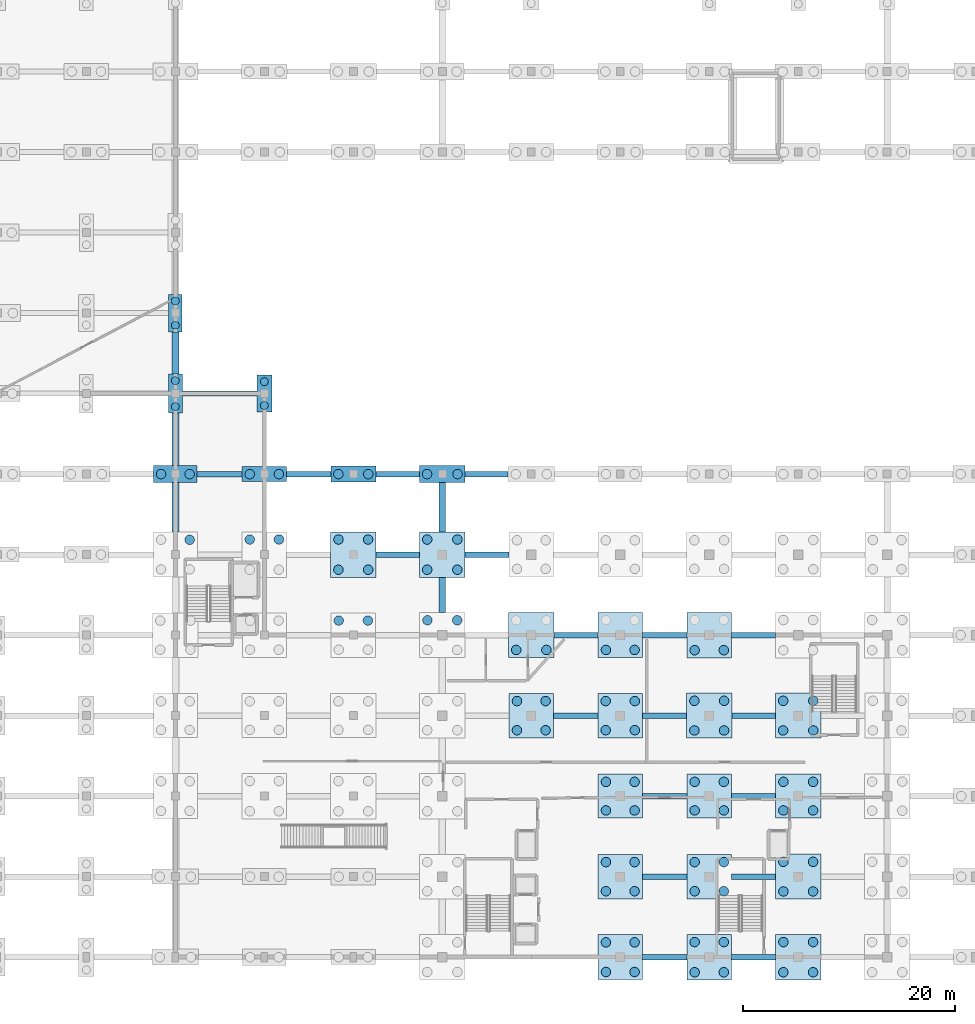
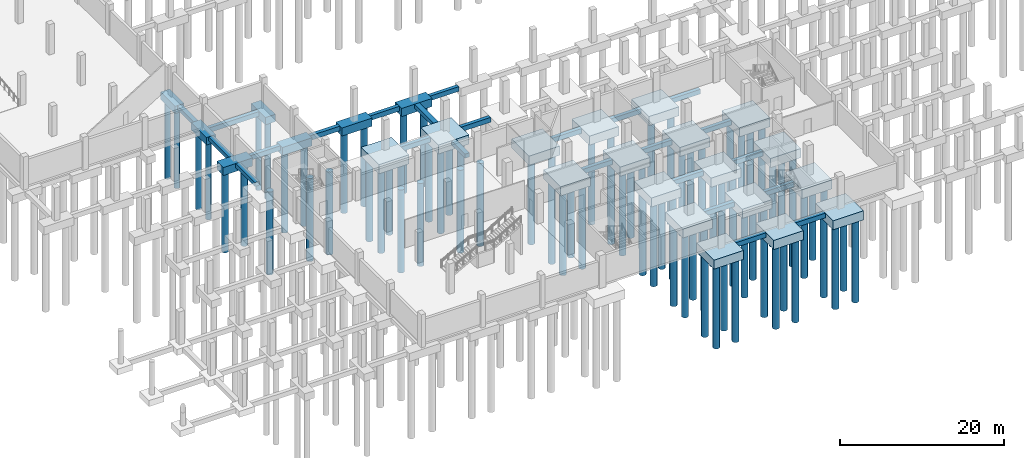
# One storey, part 3 of 22: 87 piles, 49 footings.
"""IFC4 building model written with IfcOpenShell, lengths in metres."""

from ifc_helpers import new_model, si_unit, direction, frame, origin, origin_2d, place, context, subcontext, project, spatial, rectangle, circle, extrude, material, material_profile, profile_set, type_object, element, save


model = new_model("IFC4")

# Units and contexts
model_context = context("Model", 3, precision=1e-05, world=origin(), true_north=direction((0.0, 1.0)))
body_context = subcontext(model_context, "Body", "Model", "MODEL_VIEW")
ifc_project = project(units=[si_unit("LENGTHUNIT", "METRE"), si_unit("AREAUNIT", "SQUARE_METRE"), si_unit("VOLUMEUNIT", "CUBIC_METRE"), si_unit("PLANEANGLEUNIT", "RADIAN"), si_unit("MASSUNIT", "GRAM", prefix="KILO")], contexts=[model_context])

# Site, building, storey
site_placement = place(None, origin())
site = spatial("IfcSite", under=ifc_project, at=site_placement, CompositionType="ELEMENT")
building_placement = place(site_placement, origin())
building = spatial("IfcBuilding", under=site, at=building_placement, Name="Zuvorla Pavilion Media Centre", CompositionType="ELEMENT")
storey_placement = place(building_placement, frame((0.0, 0.0, -4.5)))
storey = spatial("IfcBuildingStorey", under=building, at=storey_placement, Name="B01", CompositionType="ELEMENT", Elevation=-4.5)

# Footings
ifc_material = material(Name="Concrete C40/50", Category="concrete")
footing_type_1 = type_object("IfcFootingType", Name="FT-GB56", PredefinedType="FOOTING_BEAM", material=ifc_material)
footing_1_placement = place(storey_placement, frame((87.78759765625, 6.0, -1.10009765625), z_axis=(0.0, 0.0, 1.0), x_axis=(1.0, 0.0, 0.0)))
element("IfcFooting", 1, at=footing_1_placement, inside=storey, type_object=footing_type_1, Name="Ground beam GB56 8", PredefinedType="FOOTING_BEAM", context=body_context, shape_type="SweptSolid", body=[
    extrude(rectangle(XDim=4.215087890625, YDim=0.5, at=origin_2d()), origin(), (0.0, 0.0, 1.0), 0.699951171875),
])
footing_2_placement = place(storey_placement, frame((96.1875, 6.0, -1.10009765625), z_axis=(0.0, 0.0, 1.0), x_axis=(1.0, 0.0, 0.0)))
element("IfcFooting", 2, at=footing_2_placement, inside=storey, type_object=footing_type_1, Name="Ground beam GB56 9", PredefinedType="FOOTING_BEAM", context=body_context, shape_type="SweptSolid", body=[
    extrude(rectangle(XDim=4.1650390625, YDim=0.5, at=origin_2d()), origin(), (0.0, 0.0, 1.0), 0.699951171875),
])
footing_3_placement = place(storey_placement, frame((87.78759765625, 13.60009765625, -1.10009765625), z_axis=(0.0, 0.0, 1.0), x_axis=(1.0, 0.0, 0.0)))
element("IfcFooting", 3, at=footing_3_placement, inside=storey, type_object=footing_type_1, Name="Ground beam GB56 26", PredefinedType="FOOTING_BEAM", context=body_context, shape_type="SweptSolid", body=[
    extrude(rectangle(XDim=4.215087890625, YDim=0.5, at=origin_2d()), origin(), (0.0, 0.0, 1.0), 0.699951171875),
])
footing_4_placement = place(storey_placement, frame((96.1875, 13.60009765625, -1.10009765625), z_axis=(0.0, 0.0, 1.0), x_axis=(1.0, 0.0, 0.0)))
element("IfcFooting", 4, at=footing_4_placement, inside=storey, type_object=footing_type_1, Name="Ground beam GB56 27", PredefinedType="FOOTING_BEAM", context=body_context, shape_type="SweptSolid", body=[
    extrude(rectangle(XDim=4.1650390625, YDim=0.5, at=origin_2d()), origin(), (0.0, 0.0, 1.0), 0.699951171875),
])
footing_5_placement = place(storey_placement, frame((87.78759765625, 21.199951171875, -1.10009765625), z_axis=(0.0, 0.0, 1.0), x_axis=(1.0, 0.0, 0.0)))
element("IfcFooting", 5, at=footing_5_placement, inside=storey, type_object=footing_type_1, Name="Ground beam GB56 44", PredefinedType="FOOTING_BEAM", context=body_context, shape_type="SweptSolid", body=[
    extrude(rectangle(XDim=4.215087890625, YDim=0.5, at=origin_2d()), origin(), (0.0, 0.0, 1.0), 0.699951171875),
])
footing_6_placement = place(storey_placement, frame((96.1875, 21.199951171875, -1.10009765625), z_axis=(0.0, 0.0, 1.0), x_axis=(1.0, 0.0, 0.0)))
element("IfcFooting", 6, at=footing_6_placement, inside=storey, type_object=footing_type_1, Name="Ground beam GB56 45", PredefinedType="FOOTING_BEAM", context=body_context, shape_type="SweptSolid", body=[
    extrude(rectangle(XDim=4.1650390625, YDim=0.5, at=origin_2d()), origin(), (0.0, 0.0, 1.0), 0.699951171875),
])
footing_7_placement = place(storey_placement, frame((79.387451171875, 28.800048828125, -1.10009765625), z_axis=(0.0, 0.0, 1.0), x_axis=(1.0, 0.0, 0.0)))
element("IfcFooting", 7, at=footing_7_placement, inside=storey, type_object=footing_type_1, Name="Ground beam GB56 58", PredefinedType="FOOTING_BEAM", context=body_context, shape_type="SweptSolid", body=[
    extrude(rectangle(XDim=4.215087890625, YDim=0.5, at=origin_2d()), origin(), (0.0, 0.0, 1.0), 0.699951171875),
])
footing_8_placement = place(storey_placement, frame((87.78759765625, 28.800048828125, -1.10009765625), z_axis=(0.0, 0.0, 1.0), x_axis=(1.0, 0.0, 0.0)))
element("IfcFooting", 8, at=footing_8_placement, inside=storey, type_object=footing_type_1, Name="Ground beam GB56 59", PredefinedType="FOOTING_BEAM", context=body_context, shape_type="SweptSolid", body=[
    extrude(rectangle(XDim=4.1650390625, YDim=0.5, at=origin_2d()), origin(), (0.0, 0.0, 1.0), 0.699951171875),
])
footing_9_placement = place(storey_placement, frame((96.1875, 28.800048828125, -1.10009765625), z_axis=(0.0, 0.0, 1.0), x_axis=(1.0, 0.0, 0.0)))
element("IfcFooting", 9, at=footing_9_placement, inside=storey, type_object=footing_type_1, Name="Ground beam GB56 60", PredefinedType="FOOTING_BEAM", context=body_context, shape_type="SweptSolid", body=[
    extrude(rectangle(XDim=4.114990234375, YDim=0.5, at=origin_2d()), origin(), (0.0, 0.0, 1.0), 0.699951171875),
])
footing_10_placement = place(storey_placement, frame((79.4375, 36.39990234375, -1.10009765625), z_axis=(0.0, 0.0, 1.0), x_axis=(1.0, 0.0, 0.0)))
element("IfcFooting", 10, at=footing_10_placement, inside=storey, type_object=footing_type_1, Name="Ground beam GB56 71", PredefinedType="FOOTING_BEAM", context=body_context, shape_type="SweptSolid", body=[
    extrude(rectangle(XDim=4.1650390625, YDim=0.5, at=origin_2d()), origin(), (0.0, 0.0, 1.0), 0.699951171875),
])
footing_11_placement = place(storey_placement, frame((87.78759765625, 36.39990234375, -1.10009765625), z_axis=(0.0, 0.0, 1.0), x_axis=(1.0, 0.0, 0.0)))
element("IfcFooting", 11, at=footing_11_placement, inside=storey, type_object=footing_type_1, Name="Ground beam GB56 72", PredefinedType="FOOTING_BEAM", context=body_context, shape_type="SweptSolid", body=[
    extrude(rectangle(XDim=4.215087890625, YDim=0.5, at=origin_2d()), origin(), (0.0, 0.0, 1.0), 0.699951171875),
])
footing_12_placement = place(storey_placement, frame((96.1875, 36.39990234375, -1.10009765625), z_axis=(0.0, 0.0, 1.0), x_axis=(1.0, 0.0, 0.0)))
element("IfcFooting", 12, at=footing_12_placement, inside=storey, type_object=footing_type_1, Name="Ground beam GB56 73", PredefinedType="FOOTING_BEAM", context=body_context, shape_type="SweptSolid", body=[
    extrude(rectangle(XDim=4.1650390625, YDim=0.5, at=origin_2d()), origin(), (0.0, 0.0, 1.0), 0.699951171875),
])
footing_13_placement = place(storey_placement, frame((62.58740234375, 44.0, -1.10009765625), z_axis=(0.0, 0.0, 1.0), x_axis=(1.0, 0.0, 0.0)))
element("IfcFooting", 13, at=footing_13_placement, inside=storey, type_object=footing_type_1, Name="Ground beam GB56 85", PredefinedType="FOOTING_BEAM", context=body_context, shape_type="SweptSolid", body=[
    extrude(rectangle(XDim=4.114990234375, YDim=0.5, at=origin_2d()), origin(), (0.0, 0.0, 1.0), 0.699951171875),
])
footing_14_placement = place(storey_placement, frame((71.03759765625, 44.0, -1.10009765625), z_axis=(0.0, 0.0, 1.0), x_axis=(1.0, 0.0, 0.0)))
element("IfcFooting", 14, at=footing_14_placement, inside=storey, type_object=footing_type_1, Name="Ground beam GB56 86", PredefinedType="FOOTING_BEAM", context=body_context, shape_type="SweptSolid", body=[
    extrude(rectangle(XDim=4.1650390625, YDim=0.5, at=origin_2d()), origin(), (0.0, 0.0, 1.0), 0.699951171875),
])
footing_15_placement = place(storey_placement, frame((45.784912109375, 51.60009765625, -1.10009765625), z_axis=(0.0, 0.0, 1.0), x_axis=(1.0, 0.0, 0.0)))
element("IfcFooting", 15, at=footing_15_placement, inside=storey, type_object=footing_type_1, Name="Ground beam GB56 100", PredefinedType="FOOTING_BEAM", context=body_context, shape_type="SweptSolid", body=[
    extrude(rectangle(XDim=4.25, YDim=0.5, at=origin_2d()), origin(), (0.0, 0.0, 1.0), 0.699951171875),
])
footing_16_placement = place(storey_placement, frame((54.18505859375, 51.60009765625, -1.10009765625), z_axis=(0.0, 0.0, 1.0), x_axis=(1.0, 0.0, 0.0)))
element("IfcFooting", 16, at=footing_16_placement, inside=storey, type_object=footing_type_1, Name="Ground beam GB56 101", PredefinedType="FOOTING_BEAM", context=body_context, shape_type="SweptSolid", body=[
    extrude(rectangle(XDim=4.18994140625, YDim=0.5, at=origin_2d()), origin(), (0.0, 0.0, 1.0), 0.699951171875),
])
footing_17_placement = place(storey_placement, frame((62.5849609375, 51.60009765625, -1.10009765625), z_axis=(0.0, 0.0, 1.0), x_axis=(1.0, 0.0, 0.0)))
element("IfcFooting", 17, at=footing_17_placement, inside=storey, type_object=footing_type_1, Name="Ground beam GB56 102", PredefinedType="FOOTING_BEAM", context=body_context, shape_type="SweptSolid", body=[
    extrude(rectangle(XDim=4.1298828125, YDim=0.5, at=origin_2d()), origin(), (0.0, 0.0, 1.0), 0.699951171875),
])
footing_18_placement = place(storey_placement, frame((70.985107421875, 51.60009765625, -1.10009765625), z_axis=(0.0, 0.0, 1.0), x_axis=(1.0, 0.0, 0.0)))
element("IfcFooting", 18, at=footing_18_placement, inside=storey, type_object=footing_type_1, Name="Ground beam GB56 103", PredefinedType="FOOTING_BEAM", context=body_context, shape_type="SweptSolid", body=[
    extrude(rectangle(XDim=4.070068359375, YDim=0.5, at=origin_2d()), origin(), (0.0, 0.0, 1.0), 0.699951171875),
])
footing_19_placement = place(storey_placement, frame((45.780029296875, 59.199951171875, -1.10009765625), z_axis=(0.0, 0.0, 1.0), x_axis=(1.0, 0.0, 0.0)))
element("IfcFooting", 19, at=footing_19_placement, inside=storey, type_object=footing_type_1, Name="Ground beam GB56 118", PredefinedType="FOOTING_BEAM", context=body_context, shape_type="SweptSolid", body=[
    extrude(rectangle(XDim=7.030029296875, YDim=0.5, at=origin_2d()), origin(), (0.0, 0.0, 1.0), 0.699951171875),
])
footing_type_2 = type_object("IfcFootingType", Name="FT-PC06", PredefinedType="PILE_CAP", material=ifc_material)
footing_20_placement = place(storey_placement, frame((41.60009765625, 51.60009765625, -1.60009765625), z_axis=(0.0, 0.0, 1.0), x_axis=(1.0, 0.0, 0.0)))
element("IfcFooting", 20, at=footing_20_placement, inside=storey, type_object=footing_type_2, Name="Pile cap PC06", PredefinedType="PILE_CAP", context=body_context, shape_type="SweptSolid", body=[
    extrude(rectangle(XDim=4.1201171875, YDim=1.580078125, at=origin_2d()), origin(), (0.0, 0.0, 1.0), 1.199951171875),
])
footing_type_3 = type_object("IfcFootingType", Name="FT-PC07", PredefinedType="PILE_CAP", material=ifc_material)
footing_21_placement = place(storey_placement, frame((50.0, 51.60009765625, -1.60009765625), z_axis=(0.0, 0.0, 1.0), x_axis=(1.0, 0.0, 0.0)))
element("IfcFooting", 21, at=footing_21_placement, inside=storey, type_object=footing_type_3, Name="Pile cap PC07", PredefinedType="PILE_CAP", context=body_context, shape_type="SweptSolid", body=[
    extrude(rectangle(XDim=4.179931640625, YDim=1.419921875, at=origin_2d()), origin(), (0.0, 0.0, 1.0), 1.199951171875),
])
footing_type_4 = type_object("IfcFootingType", Name="FT-PC08", PredefinedType="PILE_CAP", material=ifc_material)
for number, where, z_axis, x_axis, name in (
    (22, (100.39990234375, 28.800048828125, -1.75), (0.0, 0.0, 1.0), (1.0, 0.0, 0.0), "Pile cap PC08"),
    (23, (75.199951171875, 36.39990234375, -1.75), (0.0, 0.0, 1.0), (1.0, 0.0, 0.0), "Pile cap PC08"),
):
    element("IfcFooting", number, at=place(storey_placement, frame(where, z_axis=z_axis, x_axis=x_axis)), inside=storey, type_object=footing_type_4, Name=name, PredefinedType="PILE_CAP", context=body_context, shape_type="SweptSolid", body=[
        extrude(rectangle(XDim=4.31005859375, YDim=4.260009765625, at=origin_2d()), origin(), (0.0, 0.0, 1.0), 1.35009765625),
    ])
footing_type_5 = type_object("IfcFootingType", Name="FT-PC09", PredefinedType="PILE_CAP", material=ifc_material)
for number, where, z_axis, x_axis, name in (
    (24, (83.60009765625, 6.0, -1.75), (0.0, 0.0, 1.0), (1.0, 0.0, 0.0), "Pile cap PC09"),
    (25, (83.60009765625, 36.39990234375, -1.75), (0.0, 0.0, 1.0), (1.0, 0.0, 0.0), "Pile cap PC09"),
):
    element("IfcFooting", number, at=place(storey_placement, frame(where, z_axis=z_axis, x_axis=x_axis)), inside=storey, type_object=footing_type_5, Name=name, PredefinedType="PILE_CAP", context=body_context, shape_type="SweptSolid", body=[
        extrude(rectangle(XDim=4.159912109375, YDim=4.260009765625, at=origin_2d()), origin(), (0.0, 0.0, 1.0), 1.35009765625),
    ])
footing_type_6 = type_object("IfcFootingType", Name="FT-PC10", PredefinedType="PILE_CAP", material=ifc_material)
for number, where, z_axis, x_axis, name in (
    (26, (92.0, 6.0, -1.75), (0.0, 0.0, 1.0), (1.0, 0.0, 0.0), "Pile cap PC10"),
    (27, (92.0, 36.39990234375, -1.75), (0.0, 0.0, 1.0), (1.0, 0.0, 0.0), "Pile cap PC10"),
):
    element("IfcFooting", number, at=place(storey_placement, frame(where, z_axis=z_axis, x_axis=x_axis)), inside=storey, type_object=footing_type_6, Name=name, PredefinedType="PILE_CAP", context=body_context, shape_type="SweptSolid", body=[
        extrude(rectangle(XDim=4.2099609375, YDim=4.31005859375, at=origin_2d()), origin(), (0.0, 0.0, 1.0), 1.35009765625),
    ])
footing_type_7 = type_object("IfcFootingType", Name="FT-PC11", PredefinedType="PILE_CAP", material=ifc_material)
for number, where, z_axis, x_axis, name in (
    (28, (100.39990234375, 6.0, -1.75), (0.0, 0.0, 1.0), (1.0, 0.0, 0.0), "Pile cap PC11"),
    (29, (58.39990234375, 44.0, -1.75), (0.0, 0.0, 1.0), (1.0, 0.0, 0.0), "Pile cap PC11"),
):
    element("IfcFooting", number, at=place(storey_placement, frame(where, z_axis=z_axis, x_axis=x_axis)), inside=storey, type_object=footing_type_7, Name=name, PredefinedType="PILE_CAP", context=body_context, shape_type="SweptSolid", body=[
        extrude(rectangle(XDim=4.260009765625, YDim=4.31005859375, at=origin_2d()), origin(), (0.0, 0.0, 1.0), 1.35009765625),
    ])
footing_type_8 = type_object("IfcFootingType", Name="FT-PC12", PredefinedType="PILE_CAP", material=ifc_material)
footing_22_placement = place(storey_placement, frame((66.800048828125, 44.0, -1.75), z_axis=(0.0, 0.0, 1.0), x_axis=(1.0, 0.0, 0.0)))
element("IfcFooting", 30, at=footing_22_placement, inside=storey, type_object=footing_type_8, Name="Pile cap PC12", PredefinedType="PILE_CAP", context=body_context, shape_type="SweptSolid", body=[
    extrude(rectangle(XDim=4.31005859375, YDim=4.31005859375, at=origin_2d()), origin(), (0.0, 0.0, 1.0), 1.35009765625),
])
footing_type_9 = type_object("IfcFootingType", Name="FT-PC27", PredefinedType="PILE_CAP", material=ifc_material)
for number, where, z_axis, x_axis, name in (
    (31, (83.60009765625, 13.60009765625, -1.75), (0.0, 0.0, 1.0), (1.0, 0.0, 0.0), "Pile cap PC27"),
    (32, (75.199951171875, 28.800048828125, -1.75), (0.0, 0.0, 1.0), (1.0, 0.0, 0.0), "Pile cap PC27"),
):
    element("IfcFooting", number, at=place(storey_placement, frame(where, z_axis=z_axis, x_axis=x_axis)), inside=storey, type_object=footing_type_9, Name=name, PredefinedType="PILE_CAP", context=body_context, shape_type="SweptSolid", body=[
        extrude(rectangle(XDim=4.159912109375, YDim=4.2099609375, at=origin_2d()), origin(), (0.0, 0.0, 1.0), 1.35009765625),
    ])
footing_type_10 = type_object("IfcFootingType", Name="FT-PC28", PredefinedType="PILE_CAP", material=ifc_material)
for number, where, z_axis, x_axis, name in (
    (33, (92.0, 13.60009765625, -1.75), (0.0, 0.0, 1.0), (1.0, 0.0, 0.0), "Pile cap PC28"),
    (34, (83.60009765625, 28.800048828125, -1.75), (0.0, 0.0, 1.0), (1.0, 0.0, 0.0), "Pile cap PC28"),
):
    element("IfcFooting", number, at=place(storey_placement, frame(where, z_axis=z_axis, x_axis=x_axis)), inside=storey, type_object=footing_type_10, Name=name, PredefinedType="PILE_CAP", context=body_context, shape_type="SweptSolid", body=[
        extrude(rectangle(XDim=4.2099609375, YDim=4.2099609375, at=origin_2d()), origin(), (0.0, 0.0, 1.0), 1.35009765625),
    ])
footing_type_11 = type_object("IfcFootingType", Name="FT-PC29", PredefinedType="PILE_CAP", material=ifc_material)
for number, where, z_axis, x_axis, name in (
    (35, (100.39990234375, 13.60009765625, -1.75), (0.0, 0.0, 1.0), (1.0, 0.0, 0.0), "Pile cap PC29"),
    (36, (92.0, 28.800048828125, -1.75), (0.0, 0.0, 1.0), (1.0, 0.0, 0.0), "Pile cap PC29"),
):
    element("IfcFooting", number, at=place(storey_placement, frame(where, z_axis=z_axis, x_axis=x_axis)), inside=storey, type_object=footing_type_11, Name=name, PredefinedType="PILE_CAP", context=body_context, shape_type="SweptSolid", body=[
        extrude(rectangle(XDim=4.260009765625, YDim=4.260009765625, at=origin_2d()), origin(), (0.0, 0.0, 1.0), 1.35009765625),
    ])
footing_type_12 = type_object("IfcFootingType", Name="FT-PC31", PredefinedType="PILE_CAP", material=ifc_material)
footing_23_placement = place(storey_placement, frame((58.39990234375, 51.60009765625, -1.60009765625), z_axis=(0.0, 0.0, 1.0), x_axis=(1.0, 0.0, 0.0)))
element("IfcFooting", 37, at=footing_23_placement, inside=storey, type_object=footing_type_12, Name="Pile cap PC31", PredefinedType="PILE_CAP", context=body_context, shape_type="SweptSolid", body=[
    extrude(rectangle(XDim=4.239990234375, YDim=1.5, at=origin_2d()), origin(), (0.0, 0.0, 1.0), 1.199951171875),
])
footing_type_13 = type_object("IfcFootingType", Name="FT-PC34", PredefinedType="PILE_CAP", material=ifc_material)
footing_24_placement = place(storey_placement, frame((83.60009765625, 21.199951171875, -1.75), z_axis=(0.0, 0.0, 1.0), x_axis=(1.0, 0.0, 0.0)))
element("IfcFooting", 38, at=footing_24_placement, inside=storey, type_object=footing_type_13, Name="Pile cap PC34", PredefinedType="PILE_CAP", context=body_context, shape_type="SweptSolid", body=[
    extrude(rectangle(XDim=4.159912109375, YDim=4.159912109375, at=origin_2d()), origin(), (0.0, 0.0, 1.0), 1.35009765625),
])
footing_type_14 = type_object("IfcFootingType", Name="FT-PC35", PredefinedType="PILE_CAP", material=ifc_material)
footing_25_placement = place(storey_placement, frame((92.0, 21.199951171875, -1.75), z_axis=(0.0, 0.0, 1.0), x_axis=(1.0, 0.0, 0.0)))
element("IfcFooting", 39, at=footing_25_placement, inside=storey, type_object=footing_type_14, Name="Pile cap PC35", PredefinedType="PILE_CAP", context=body_context, shape_type="SweptSolid", body=[
    extrude(rectangle(XDim=4.2099609375, YDim=4.159912109375, at=origin_2d()), origin(), (0.0, 0.0, 1.0), 1.35009765625),
])
footing_type_15 = type_object("IfcFootingType", Name="FT-PC36", PredefinedType="PILE_CAP", material=ifc_material)
footing_26_placement = place(storey_placement, frame((100.39990234375, 21.199951171875, -1.75), z_axis=(0.0, 0.0, 1.0), x_axis=(1.0, 0.0, 0.0)))
element("IfcFooting", 40, at=footing_26_placement, inside=storey, type_object=footing_type_15, Name="Pile cap PC36", PredefinedType="PILE_CAP", context=body_context, shape_type="SweptSolid", body=[
    extrude(rectangle(XDim=4.260009765625, YDim=4.159912109375, at=origin_2d()), origin(), (0.0, 0.0, 1.0), 1.35009765625),
])
footing_type_16 = type_object("IfcFootingType", Name="FT-PC37", PredefinedType="PILE_CAP", material=ifc_material)
footing_27_placement = place(storey_placement, frame((66.800048828125, 51.60009765625, -1.60009765625), z_axis=(0.0, 0.0, 1.0), x_axis=(1.0, 0.0, 0.0)))
element("IfcFooting", 41, at=footing_27_placement, inside=storey, type_object=footing_type_16, Name="Pile cap PC37", PredefinedType="PILE_CAP", context=body_context, shape_type="SweptSolid", body=[
    extrude(rectangle(XDim=4.300048828125, YDim=1.580078125, at=origin_2d()), origin(), (0.0, 0.0, 1.0), 1.199951171875),
])
footing_type_17 = type_object("IfcFootingType", Name="FT-PC43", PredefinedType="PILE_CAP", material=ifc_material)
footing_28_placement = place(storey_placement, frame((41.60009765625, 59.199951171875, -1.5), z_axis=(0.0, 0.0, 1.0), x_axis=(1.0, 0.0, 0.0)))
element("IfcFooting", 42, at=footing_28_placement, inside=storey, type_object=footing_type_17, Name="Pile cap PC43", PredefinedType="PILE_CAP", context=body_context, shape_type="SweptSolid", body=[
    extrude(rectangle(XDim=1.330078125, YDim=3.699951171875, at=origin_2d()), origin(), (0.0, 0.0, 1.0), 1.10009765625),
])
footing_type_18 = type_object("IfcFootingType", Name="FT-PC44", PredefinedType="PILE_CAP", material=ifc_material)
footing_29_placement = place(storey_placement, frame((50.0, 59.199951171875, -1.5), z_axis=(0.0, 0.0, 1.0), x_axis=(1.0, 0.0, 0.0)))
element("IfcFooting", 43, at=footing_29_placement, inside=storey, type_object=footing_type_18, Name="Pile cap PC44", PredefinedType="PILE_CAP", context=body_context, shape_type="SweptSolid", body=[
    extrude(rectangle(XDim=1.409912109375, YDim=3.5, at=origin_2d()), origin(), (0.0, 0.0, 1.0), 1.10009765625),
])
footing_type_19 = type_object("IfcFootingType", Name="FT-PC46", PredefinedType="PILE_CAP", material=ifc_material)
footing_30_placement = place(storey_placement, frame((41.60009765625, 66.800048828125, -1.5), z_axis=(0.0, 0.0, 1.0), x_axis=(1.0, 0.0, 0.0)))
element("IfcFooting", 44, at=footing_30_placement, inside=storey, type_object=footing_type_19, Name="Pile cap PC46", PredefinedType="PILE_CAP", context=body_context, shape_type="SweptSolid", body=[
    extrude(rectangle(XDim=1.25, YDim=3.550048828125, at=origin_2d()), origin(), (0.0, 0.0, 1.0), 1.10009765625),
])
footing_type_20 = type_object("IfcFootingType", Name="FT-SF57", PredefinedType="STRIP_FOOTING", material=ifc_material)
footing_31_placement = place(storey_placement, frame((41.60009765625, 48.469970703125, -1.0), z_axis=(0.0, 0.0, 1.0), x_axis=(0.0, 1.0, 0.0)))
element("IfcFooting", 45, at=footing_31_placement, inside=storey, type_object=footing_type_20, Name="Strip footing SF57 17", PredefinedType="STRIP_FOOTING", context=body_context, shape_type="SweptSolid", body=[
    extrude(rectangle(XDim=4.679931640625, YDim=0.64990234375, at=origin_2d()), origin(), (0.0, 0.0, 1.0), 0.60009765625),
])
footing_32_placement = place(storey_placement, frame((41.60009765625, 54.8701171875, -1.0), z_axis=(0.0, 0.0, 1.0), x_axis=(0.0, 1.0, 0.0)))
element("IfcFooting", 46, at=footing_32_placement, inside=storey, type_object=footing_type_20, Name="Strip footing SF57 18", PredefinedType="STRIP_FOOTING", context=body_context, shape_type="SweptSolid", body=[
    extrude(rectangle(XDim=4.9599609375, YDim=0.64990234375, at=origin_2d()), origin(), (0.0, 0.0, 1.0), 0.60009765625),
])
footing_33_placement = place(storey_placement, frame((41.60009765625, 63.03759765625, -1.0), z_axis=(0.0, 0.0, 1.0), x_axis=(0.0, 1.0, 0.0)))
element("IfcFooting", 47, at=footing_33_placement, inside=storey, type_object=footing_type_20, Name="Strip footing SF57 19", PredefinedType="STRIP_FOOTING", context=body_context, shape_type="SweptSolid", body=[
    extrude(rectangle(XDim=3.97509765625, YDim=0.64990234375, at=origin_2d()), origin(), (0.0, 0.0, 1.0), 0.60009765625),
])
footing_34_placement = place(storey_placement, frame((66.800048828125, 40.1875, -1.0), z_axis=(0.0, 0.0, 1.0), x_axis=(0.0, 1.0, 0.0)))
element("IfcFooting", 48, at=footing_34_placement, inside=storey, type_object=footing_type_20, Name="Strip footing SF57 31", PredefinedType="STRIP_FOOTING", context=body_context, shape_type="SweptSolid", body=[
    extrude(rectangle(XDim=3.31494140625, YDim=0.64990234375, at=origin_2d()), origin(), (0.0, 0.0, 1.0), 0.60009765625),
])
footing_35_placement = place(storey_placement, frame((66.800048828125, 48.482421875, -1.0), z_axis=(0.0, 0.0, 1.0), x_axis=(0.0, 1.0, 0.0)))
element("IfcFooting", 49, at=footing_35_placement, inside=storey, type_object=footing_type_20, Name="Strip footing SF57 32", PredefinedType="STRIP_FOOTING", context=body_context, shape_type="SweptSolid", body=[
    extrude(rectangle(XDim=4.655029296875, YDim=0.64990234375, at=origin_2d()), origin(), (0.0, 0.0, 1.0), 0.60009765625),
])

# Piles
ifc_material_profile_1 = material_profile(ifc_material, circle(Radius=0.375, at=origin_2d()), Name="BORED PILE 750")
ifc_profile_set_1 = profile_set([ifc_material_profile_1], Name="Concrete C40/50")
pile_type_1 = type_object("IfcPileType", Name="PIL-D750", PredefinedType="BORED", material=ifc_profile_set_1)
for number, where, z_axis, x_axis, name in (
    (50, (41.60009765625, 57.97509765625, -1.39990234375), (0.0, 0.0, -1.0), (1.0, 0.0, 0.0), "Bored pile P75 325"),
    (51, (41.60009765625, 60.425048828125, -1.39990234375), (0.0, 0.0, -1.0), (1.0, 0.0, 0.0), "Bored pile P75 326"),
    (52, (50.0, 58.074951171875, -1.39990234375), (0.0, 0.0, -1.0), (1.0, 0.0, 0.0), "Bored pile P75 327"),
    (53, (50.0, 60.324951171875, -1.39990234375), (0.0, 0.0, -1.0), (1.0, 0.0, 0.0), "Bored pile P75 328"),
    (54, (41.60009765625, 65.64990234375, -1.39990234375), (0.0, 0.0, -1.0), (1.0, 0.0, 0.0), "Bored pile P75 339"),
    (55, (41.60009765625, 67.949951171875, -1.39990234375), (0.0, 0.0, -1.0), (1.0, 0.0, 0.0), "Bored pile P75 340"),
):
    element("IfcPile", number, at=place(storey_placement, frame(where, z_axis=z_axis, x_axis=x_axis)), inside=storey, type_object=pile_type_1, Name=name, PredefinedType="BORED", context=body_context, shape_type="SweptSolid", body=[
        extrude(circle(Radius=0.375, at=origin_2d()), origin(), (0.0, 0.0, 1.0), 11.60009765625),
    ])
ifc_material_profile_2 = material_profile(ifc_material, circle(Radius=0.449951171875, at=origin_2d()), Name="BORED PILE 900")
ifc_profile_set_2 = profile_set([ifc_material_profile_2], Name="Concrete C40/50")
pile_type_2 = type_object("IfcPileType", Name="PIL-D900", PredefinedType="BORED", material=ifc_profile_set_2)
for number, where, z_axis, x_axis, name in (
    (56, (82.25, 4.60009765625, -1.64990234375), (0.0, 0.0, -1.0), (1.0, 0.0, 0.0), "Bored pile P90 15"),
    (57, (84.949951171875, 4.60009765625, -1.64990234375), (0.0, 0.0, -1.0), (1.0, 0.0, 0.0), "Bored pile P90 16"),
    (58, (82.25, 7.39990234375, -1.64990234375), (0.0, 0.0, -1.0), (1.0, 0.0, 0.0), "Bored pile P90 17"),
    (59, (84.949951171875, 7.39990234375, -1.64990234375), (0.0, 0.0, -1.0), (1.0, 0.0, 0.0), "Bored pile P90 18"),
    (60, (90.625, 4.574951171875, -1.64990234375), (0.0, 0.0, -1.0), (1.0, 0.0, 0.0), "Bored pile P90 19"),
    (61, (93.375, 4.574951171875, -1.64990234375), (0.0, 0.0, -1.0), (1.0, 0.0, 0.0), "Bored pile P90 20"),
    (62, (90.625, 7.425048828125, -1.64990234375), (0.0, 0.0, -1.0), (1.0, 0.0, 0.0), "Bored pile P90 21"),
    (63, (93.375, 7.425048828125, -1.64990234375), (0.0, 0.0, -1.0), (1.0, 0.0, 0.0), "Bored pile P90 22"),
    (64, (99.0, 4.574951171875, -1.64990234375), (0.0, 0.0, -1.0), (1.0, 0.0, 0.0), "Bored pile P90 23"),
    (65, (101.800048828125, 4.574951171875, -1.64990234375), (0.0, 0.0, -1.0), (1.0, 0.0, 0.0), "Bored pile P90 24"),
    (66, (99.0, 7.425048828125, -1.64990234375), (0.0, 0.0, -1.0), (1.0, 0.0, 0.0), "Bored pile P90 25"),
    (67, (101.800048828125, 7.425048828125, -1.64990234375), (0.0, 0.0, -1.0), (1.0, 0.0, 0.0), "Bored pile P90 26"),
    (68, (82.25, 12.22509765625, -1.64990234375), (0.0, 0.0, -1.0), (1.0, 0.0, 0.0), "Bored pile P90 57"),
    (69, (84.949951171875, 12.22509765625, -1.64990234375), (0.0, 0.0, -1.0), (1.0, 0.0, 0.0), "Bored pile P90 58"),
    (70, (82.25, 14.97509765625, -1.64990234375), (0.0, 0.0, -1.0), (1.0, 0.0, 0.0), "Bored pile P90 59"),
    (71, (84.949951171875, 14.97509765625, -1.64990234375), (0.0, 0.0, -1.0), (1.0, 0.0, 0.0), "Bored pile P90 60"),
    (72, (90.625, 12.22509765625, -1.64990234375), (0.0, 0.0, -1.0), (1.0, 0.0, 0.0), "Bored pile P90 61"),
    (73, (93.375, 12.22509765625, -1.64990234375), (0.0, 0.0, -1.0), (1.0, 0.0, 0.0), "Bored pile P90 62"),
    (74, (90.625, 14.97509765625, -1.64990234375), (0.0, 0.0, -1.0), (1.0, 0.0, 0.0), "Bored pile P90 63"),
    (75, (93.375, 14.97509765625, -1.64990234375), (0.0, 0.0, -1.0), (1.0, 0.0, 0.0), "Bored pile P90 64"),
    (76, (99.0, 12.199951171875, -1.64990234375), (0.0, 0.0, -1.0), (1.0, 0.0, 0.0), "Bored pile P90 65"),
    (77, (101.800048828125, 12.199951171875, -1.64990234375), (0.0, 0.0, -1.0), (1.0, 0.0, 0.0), "Bored pile P90 66"),
    (78, (99.0, 15.0, -1.64990234375), (0.0, 0.0, -1.0), (1.0, 0.0, 0.0), "Bored pile P90 67"),
    (79, (101.800048828125, 15.0, -1.64990234375), (0.0, 0.0, -1.0), (1.0, 0.0, 0.0), "Bored pile P90 68"),
    (80, (82.25, 19.85009765625, -1.64990234375), (0.0, 0.0, -1.0), (1.0, 0.0, 0.0), "Bored pile P90 105"),
    (81, (84.949951171875, 19.85009765625, -1.64990234375), (0.0, 0.0, -1.0), (1.0, 0.0, 0.0), "Bored pile P90 106"),
    (82, (82.25, 22.550048828125, -1.64990234375), (0.0, 0.0, -1.0), (1.0, 0.0, 0.0), "Bored pile P90 107"),
    (83, (84.949951171875, 22.550048828125, -1.64990234375), (0.0, 0.0, -1.0), (1.0, 0.0, 0.0), "Bored pile P90 108"),
    (84, (90.625, 19.85009765625, -1.64990234375), (0.0, 0.0, -1.0), (1.0, 0.0, 0.0), "Bored pile P90 109"),
    (85, (93.375, 19.85009765625, -1.64990234375), (0.0, 0.0, -1.0), (1.0, 0.0, 0.0), "Bored pile P90 110"),
    (86, (90.625, 22.550048828125, -1.64990234375), (0.0, 0.0, -1.0), (1.0, 0.0, 0.0), "Bored pile P90 111"),
    (87, (93.375, 22.550048828125, -1.64990234375), (0.0, 0.0, -1.0), (1.0, 0.0, 0.0), "Bored pile P90 112"),
    (88, (99.0, 19.85009765625, -1.64990234375), (0.0, 0.0, -1.0), (1.0, 0.0, 0.0), "Bored pile P90 113"),
    (89, (101.800048828125, 19.85009765625, -1.64990234375), (0.0, 0.0, -1.0), (1.0, 0.0, 0.0), "Bored pile P90 114"),
    (90, (99.0, 22.550048828125, -1.64990234375), (0.0, 0.0, -1.0), (1.0, 0.0, 0.0), "Bored pile P90 115"),
    (91, (101.800048828125, 22.550048828125, -1.64990234375), (0.0, 0.0, -1.0), (1.0, 0.0, 0.0), "Bored pile P90 116"),
    (92, (73.85009765625, 27.425048828125, -1.64990234375), (0.0, 0.0, -1.0), (1.0, 0.0, 0.0), "Bored pile P90 149"),
    (93, (76.550048828125, 27.425048828125, -1.64990234375), (0.0, 0.0, -1.0), (1.0, 0.0, 0.0), "Bored pile P90 150"),
    (94, (73.85009765625, 30.175048828125, -1.64990234375), (0.0, 0.0, -1.0), (1.0, 0.0, 0.0), "Bored pile P90 151"),
    (95, (76.550048828125, 30.175048828125, -1.64990234375), (0.0, 0.0, -1.0), (1.0, 0.0, 0.0), "Bored pile P90 152"),
    (96, (82.22509765625, 27.425048828125, -1.64990234375), (0.0, 0.0, -1.0), (1.0, 0.0, 0.0), "Bored pile P90 153"),
    (97, (84.97509765625, 27.425048828125, -1.64990234375), (0.0, 0.0, -1.0), (1.0, 0.0, 0.0), "Bored pile P90 154"),
    (98, (82.22509765625, 30.175048828125, -1.64990234375), (0.0, 0.0, -1.0), (1.0, 0.0, 0.0), "Bored pile P90 155"),
    (99, (84.97509765625, 30.175048828125, -1.64990234375), (0.0, 0.0, -1.0), (1.0, 0.0, 0.0), "Bored pile P90 156"),
    (100, (90.60009765625, 27.39990234375, -1.64990234375), (0.0, 0.0, -1.0), (1.0, 0.0, 0.0), "Bored pile P90 157"),
    (101, (93.39990234375, 27.39990234375, -1.64990234375), (0.0, 0.0, -1.0), (1.0, 0.0, 0.0), "Bored pile P90 158"),
    (102, (90.60009765625, 30.199951171875, -1.64990234375), (0.0, 0.0, -1.0), (1.0, 0.0, 0.0), "Bored pile P90 159"),
    (103, (93.39990234375, 30.199951171875, -1.64990234375), (0.0, 0.0, -1.0), (1.0, 0.0, 0.0), "Bored pile P90 160"),
    (104, (98.97509765625, 27.39990234375, -1.64990234375), (0.0, 0.0, -1.0), (1.0, 0.0, 0.0), "Bored pile P90 161"),
    (105, (101.824951171875, 27.39990234375, -1.64990234375), (0.0, 0.0, -1.0), (1.0, 0.0, 0.0), "Bored pile P90 162"),
    (106, (98.97509765625, 30.199951171875, -1.64990234375), (0.0, 0.0, -1.0), (1.0, 0.0, 0.0), "Bored pile P90 163"),
    (107, (101.824951171875, 30.199951171875, -1.64990234375), (0.0, 0.0, -1.0), (1.0, 0.0, 0.0), "Bored pile P90 164"),
    (108, (57.02490234375, 37.77490234375, -1.64990234375), (0.0, 0.0, -1.0), (1.0, 0.0, 0.0), "Bored pile P90 191"),
    (109, (59.77490234375, 37.77490234375, -1.64990234375), (0.0, 0.0, -1.0), (1.0, 0.0, 0.0), "Bored pile P90 192"),
    (110, (65.39990234375, 37.800048828125, -1.64990234375), (0.0, 0.0, -1.0), (1.0, 0.0, 0.0), "Bored pile P90 195"),
    (111, (68.199951171875, 37.800048828125, -1.64990234375), (0.0, 0.0, -1.0), (1.0, 0.0, 0.0), "Bored pile P90 196"),
    (112, (73.77490234375, 35.0, -1.64990234375), (0.0, 0.0, -1.0), (1.0, 0.0, 0.0), "Bored pile P90 197"),
    (113, (76.625, 35.0, -1.64990234375), (0.0, 0.0, -1.0), (1.0, 0.0, 0.0), "Bored pile P90 198"),
    (114, (82.25, 35.0, -1.64990234375), (0.0, 0.0, -1.0), (1.0, 0.0, 0.0), "Bored pile P90 201"),
    (115, (84.949951171875, 35.0, -1.64990234375), (0.0, 0.0, -1.0), (1.0, 0.0, 0.0), "Bored pile P90 202"),
    (116, (90.625, 34.97509765625, -1.64990234375), (0.0, 0.0, -1.0), (1.0, 0.0, 0.0), "Bored pile P90 205"),
    (117, (93.375, 34.97509765625, -1.64990234375), (0.0, 0.0, -1.0), (1.0, 0.0, 0.0), "Bored pile P90 206"),
    (118, (42.949951171875, 45.39990234375, -1.64990234375), (0.0, 0.0, -1.0), (1.0, 0.0, 0.0), "Bored pile P90 236"),
    (119, (48.625, 45.425048828125, -1.64990234375), (0.0, 0.0, -1.0), (1.0, 0.0, 0.0), "Bored pile P90 239"),
    (120, (51.375, 45.425048828125, -1.64990234375), (0.0, 0.0, -1.0), (1.0, 0.0, 0.0), "Bored pile P90 240"),
    (121, (57.0, 42.574951171875, -1.64990234375), (0.0, 0.0, -1.0), (1.0, 0.0, 0.0), "Bored pile P90 241"),
    (122, (59.800048828125, 42.574951171875, -1.64990234375), (0.0, 0.0, -1.0), (1.0, 0.0, 0.0), "Bored pile P90 242"),
    (123, (57.0, 45.425048828125, -1.64990234375), (0.0, 0.0, -1.0), (1.0, 0.0, 0.0), "Bored pile P90 243"),
    (124, (59.800048828125, 45.425048828125, -1.64990234375), (0.0, 0.0, -1.0), (1.0, 0.0, 0.0), "Bored pile P90 244"),
    (125, (65.375, 42.574951171875, -1.64990234375), (0.0, 0.0, -1.0), (1.0, 0.0, 0.0), "Bored pile P90 245"),
    (126, (68.22509765625, 42.574951171875, -1.64990234375), (0.0, 0.0, -1.0), (1.0, 0.0, 0.0), "Bored pile P90 246"),
    (127, (65.375, 45.425048828125, -1.64990234375), (0.0, 0.0, -1.0), (1.0, 0.0, 0.0), "Bored pile P90 247"),
    (128, (68.22509765625, 45.425048828125, -1.64990234375), (0.0, 0.0, -1.0), (1.0, 0.0, 0.0), "Bored pile P90 248"),
):
    element("IfcPile", number, at=place(storey_placement, frame(where, z_axis=z_axis, x_axis=x_axis)), inside=storey, type_object=pile_type_2, Name=name, PredefinedType="BORED", context=body_context, shape_type="SweptSolid", body=[
        extrude(circle(Radius=0.449951171875, at=origin_2d()), origin(), (0.0, 0.0, 1.0), 12.35009765625),
    ])
for number, where, z_axis, x_axis, name in (
    (129, (40.25, 51.60009765625, -1.5), (0.0, 0.0, -1.0), (1.0, 0.0, 0.0), "Bored pile P90 287"),
    (130, (42.949951171875, 51.60009765625, -1.5), (0.0, 0.0, -1.0), (1.0, 0.0, 0.0), "Bored pile P90 288"),
    (131, (48.6201171875, 51.60009765625, -1.5), (0.0, 0.0, -1.0), (1.0, 0.0, 0.0), "Bored pile P90 289"),
    (132, (51.3798828125, 51.60009765625, -1.5), (0.0, 0.0, -1.0), (1.0, 0.0, 0.0), "Bored pile P90 290"),
    (133, (56.989990234375, 51.60009765625, -1.5), (0.0, 0.0, -1.0), (1.0, 0.0, 0.0), "Bored pile P90 291"),
    (134, (59.81005859375, 51.60009765625, -1.5), (0.0, 0.0, -1.0), (1.0, 0.0, 0.0), "Bored pile P90 292"),
    (135, (65.360107421875, 51.60009765625, -1.5), (0.0, 0.0, -1.0), (1.0, 0.0, 0.0), "Bored pile P90 293"),
    (136, (68.239990234375, 51.60009765625, -1.5), (0.0, 0.0, -1.0), (1.0, 0.0, 0.0), "Bored pile P90 294"),
):
    element("IfcPile", number, at=place(storey_placement, frame(where, z_axis=z_axis, x_axis=x_axis)), inside=storey, type_object=pile_type_2, Name=name, PredefinedType="BORED", context=body_context, shape_type="SweptSolid", body=[
        extrude(circle(Radius=0.449951171875, at=origin_2d()), origin(), (0.0, 0.0, 1.0), 12.0),
    ])

save(model, "model.ifc")
